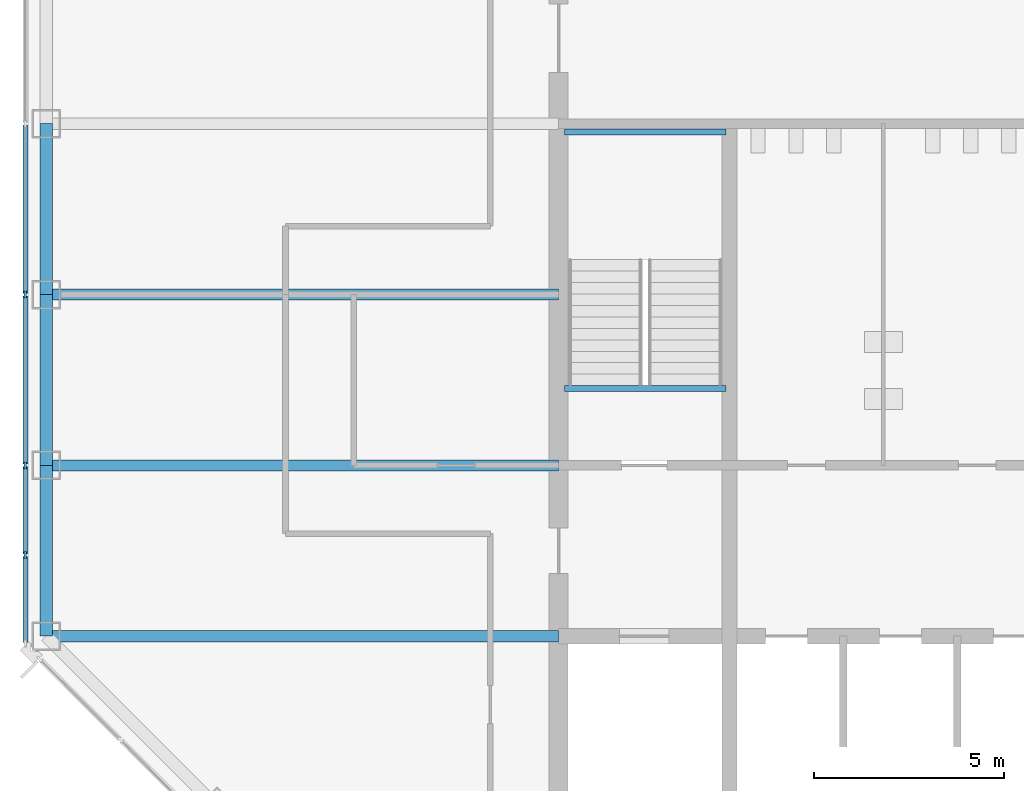
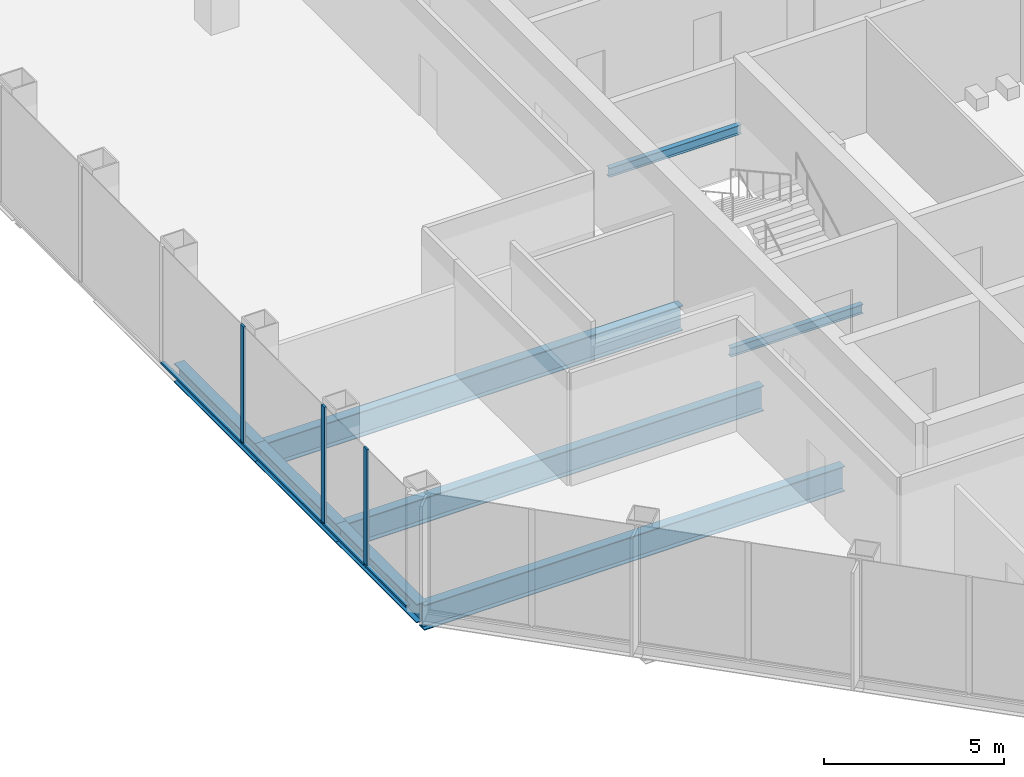
# One storey, part 3 of 12: 8 beams, 7 members, 1 element without a shape of its own.
"""IFC4 building model written with IfcOpenShell, lengths in metres."""

from ifc_helpers import new_model, si_unit, direction, frame, origin, origin_2d, place, context, subcontext, project, spatial, rectangle, i_section, extrude, material, material_profile, profile_set, type_object, element, aggregate, save


model = new_model("IFC4")

# Units and contexts
model_context = context("Model", 3, precision=1e-05, world=origin(), true_north=direction((0.0, 1.0)))
body_context = subcontext(model_context, "Body", "Model", "MODEL_VIEW")
ifc_project = project(units=[si_unit("LENGTHUNIT", "METRE"), si_unit("AREAUNIT", "SQUARE_METRE"), si_unit("VOLUMEUNIT", "CUBIC_METRE"), si_unit("PLANEANGLEUNIT", "RADIAN"), si_unit("MASSUNIT", "GRAM", prefix="KILO")], contexts=[model_context])

# Site, building, storey
site_placement = place(None, origin())
site = spatial("IfcSite", under=ifc_project, at=site_placement, CompositionType="ELEMENT")
building_placement = place(site_placement, origin())
building = spatial("IfcBuilding", under=site, at=building_placement, Name="Corais Broadcast Tower", CompositionType="ELEMENT")
storey_placement = place(building_placement, frame((0.0, 0.0, 143.60009765625)))
storey = spatial("IfcBuildingStorey", under=building, at=storey_placement, Name="L32", CompositionType="ELEMENT", Elevation=143.60009765625)

# Beams
ifc_material_1 = material(Name="Steel ASTM A572 Grade 50", Category="steel")
ifc_material_profile_1 = material_profile(ifc_material_1, i_section(OverallWidth=0.2939453125, OverallDepth=0.85107421875, WebThickness=0.01611328125, FlangeThickness=0.02685546875, at=origin_2d()), Name="W840x226")
ifc_profile_set_1 = profile_set([ifc_material_profile_1], Name="Steel ASTM A572 Grade 50")
beam_type_1 = type_object("IfcBeamType", Name="Floor beam W840x226", PredefinedType="BEAM", material=ifc_profile_set_1)
for number, where, z_axis, x_axis, name in (
    (1, (0.0, 18.0, -0.585693359375), (1.0, 0.0, 0.0), (0.0, 1.0, 0.0), "B1 E/3 to E/6"),
    (2, (0.0, 22.5, -0.585693359375), (1.0, 0.0, 0.0), (0.0, 1.0, 0.0), "B1 F/3 to F/6"),
    (3, (0.0, 27.0, -0.585693359375), (1.0, 0.0, 0.0), (0.0, 1.0, 0.0), "B1 G/3 to G/6"),
):
    element("IfcBeam", number, at=place(storey_placement, frame(where, z_axis=z_axis, x_axis=x_axis)), inside=storey, type_object=beam_type_1, Name=name, PredefinedType="BEAM", context=body_context, shape_type="SweptSolid", body=[
        extrude(i_section(OverallWidth=0.2939453125, OverallDepth=0.85107421875, WebThickness=0.01611328125, FlangeThickness=0.02685546875, at=origin_2d()), origin(), (0.0, 0.0, 1.0), 13.5),
    ])
ifc_material_2 = material(Name="Steel ASTM A572 Grade 50", Category="steel")
ifc_material_profile_2 = material_profile(ifc_material_2, i_section(OverallWidth=0.1650390625, OverallDepth=0.31005859375, WebThickness=0.005859375, FlangeThickness=0.009765625, at=origin_2d()), Name="W310x38.7")
ifc_profile_set_2 = profile_set([ifc_material_profile_2], Name="Steel ASTM A572 Grade 50")
beam_type_2 = type_object("IfcBeamType", Name="Landing trimmer W310x38.7", PredefinedType="BEAM", material=ifc_profile_set_2)
for number, where, z_axis, x_axis, name in (
    (4, (13.64990234375, 24.52490234375, -0.35498046875), (1.0, 0.0, 0.0), (0.0, 1.0, 0.0), "LT1 stair A landing trimmer L32"),
    (5, (13.64990234375, 31.284912109375, 1.64501953125), (1.0, 0.0, 0.0), (0.0, 1.0, 0.0), "LT1 stair A half landing trimmer L32"),
):
    element("IfcBeam", number, at=place(storey_placement, frame(where, z_axis=z_axis, x_axis=x_axis)), inside=storey, type_object=beam_type_2, Name=name, PredefinedType="BEAM", context=body_context, shape_type="SweptSolid", body=[
        extrude(i_section(OverallWidth=0.1650390625, OverallDepth=0.31005859375, WebThickness=0.005859375, FlangeThickness=0.009765625, at=origin_2d()), origin(), (0.0, 0.0, 1.0), 4.25),
    ])

# Curtain wall, members
ifc_material_3 = material(Name="Aluminium and glass", Category="aluminium")
curtain_wall_type = type_object("IfcCurtainWallType", Name="Unitised fritted curtain wall CW2", PredefinedType="NOTDEFINED", material=ifc_material_3)
curtain_wall_placement = place(storey_placement, origin())
curtain_wall = element("IfcCurtainWall", 6, at=curtain_wall_placement, inside=storey, type_object=curtain_wall_type, Name="CW2 curtain wall L32 2", PredefinedType="NOTDEFINED")
ifc_material_4 = material(Name="Aluminium 6063-T6", Category="aluminium")
ifc_material_profile_3 = material_profile(ifc_material_4, rectangle(XDim=0.06494140625, YDim=0.179931640625, at=origin_2d()), Name="Mullion CW2 65x180")
ifc_profile_set_3 = profile_set([ifc_material_profile_3], Name="Aluminium 6063-T6")
member_type_1 = type_object("IfcMemberType", Name="Mullion CW2 65x180", PredefinedType="MULLION", material=ifc_profile_set_3)
member_1_placement = place(storey_placement, frame((-0.550048828125, 20.135986328125, 0.0), z_axis=(0.0, 0.0, 1.0), x_axis=(-1.0, 0.0, 0.0)))
member_1 = element("IfcMember", 7, at=member_1_placement, type_object=member_type_1, Name="CW2 mullion 2", PredefinedType="MULLION", context=body_context, shape_type="SweptSolid", body=[
    extrude(rectangle(XDim=0.06494140625, YDim=0.179931640625, at=origin_2d()), origin(), (0.0, 0.0, 1.0), 4.0),
])
member_2_placement = place(storey_placement, frame((-0.550048828125, 22.5, 0.0), z_axis=(0.0, 0.0, 1.0), x_axis=(-1.0, 0.0, 0.0)))
member_2 = element("IfcMember", 8, at=member_2_placement, type_object=member_type_1, Name="CW2 mullion 3", PredefinedType="MULLION", context=body_context, shape_type="SweptSolid", body=[
    extrude(rectangle(XDim=0.06494140625, YDim=0.179931640625, at=origin_2d()), origin(), (0.0, 0.0, 1.0), 4.0),
])
member_3_placement = place(storey_placement, frame((-0.550048828125, 27.0, 0.0), z_axis=(0.0, 0.0, 1.0), x_axis=(-1.0, 0.0, 0.0)))
member_3 = element("IfcMember", 9, at=member_3_placement, type_object=member_type_1, Name="CW2 mullion 4", PredefinedType="MULLION", context=body_context, shape_type="SweptSolid", body=[
    extrude(rectangle(XDim=0.06494140625, YDim=0.179931640625, at=origin_2d()), origin(), (0.0, 0.0, 1.0), 4.0),
])

# Beams
ifc_material_5 = material(Name="Steel ASTM A572 Grade 50", Category="steel")
ifc_material_profile_4 = material_profile(ifc_material_5, i_section(OverallWidth=0.3291015625, OverallDepth=0.635009765625, WebThickness=0.017822265625, FlangeThickness=0.031005859375, at=origin_2d()), Name="W610x241")
ifc_profile_set_4 = profile_set([ifc_material_profile_4], Name="Steel ASTM A572 Grade 50")
beam_type_3 = type_object("IfcBeamType", Name="Spandrel W610x241", PredefinedType="BEAM", material=ifc_profile_set_4)
for number, where, z_axis, x_axis, name in (
    (10, (0.0, 22.5, -0.4775390625), (0.0, -1.0, 0.0), (1.0, 0.0, 0.0), "SB1 F/3 to E/3"),
    (11, (0.0, 27.0, -0.4775390625), (0.0, -1.0, 0.0), (1.0, 0.0, 0.0), "SB1 G/3 to F/3"),
    (12, (0.0, 31.5, -0.4775390625), (0.0, -1.0, 0.0), (1.0, 0.0, 0.0), "SB1 H/3 to G/3"),
):
    element("IfcBeam", number, at=place(storey_placement, frame(where, z_axis=z_axis, x_axis=x_axis)), inside=storey, type_object=beam_type_3, Name=name, PredefinedType="BEAM", context=body_context, shape_type="SweptSolid", body=[
        extrude(i_section(OverallWidth=0.3291015625, OverallDepth=0.635009765625, WebThickness=0.017822265625, FlangeThickness=0.031005859375, at=origin_2d()), origin(), (0.0, 0.0, 1.0), 4.5),
    ])

# Member
ifc_material_6 = material(Name="Aluminium 6063-T6", Category="aluminium")
ifc_material_profile_5 = material_profile(ifc_material_6, rectangle(XDim=0.1298828125, YDim=0.06494140625, at=origin_2d()), Name="Transom CW2 65x130")
ifc_profile_set_5 = profile_set([ifc_material_profile_5], Name="Aluminium 6063-T6")
member_type_2 = type_object("IfcMemberType", Name="Transom CW2 65x130", PredefinedType="USERDEFINED", material=ifc_profile_set_5)
member_4_placement = place(storey_placement, frame((-0.550048828125, 17.837158203125, 0.032470703125), z_axis=(0.0, 1.0, 0.0), x_axis=(-1.0, 0.0, 0.0)))
member_4 = element("IfcMember", 13, at=member_4_placement, type_object=member_type_2, Name="CW2 transom 1.1", ObjectType="TRANSOM", PredefinedType="USERDEFINED", context=body_context, shape_type="SweptSolid", body=[
    extrude(rectangle(XDim=0.1298828125, YDim=0.06494140625, at=origin_2d()), origin(), (0.0, 0.0, 1.0), 2.266357421875),
])

member_5_placement = place(storey_placement, frame((-0.550048828125, 20.168701171875, 0.032470703125), z_axis=(0.0, 1.0, 0.0), x_axis=(-1.0, 0.0, 0.0)))
member_5 = element("IfcMember", 14, at=member_5_placement, type_object=member_type_2, Name="CW2 transom 2.1", ObjectType="TRANSOM", PredefinedType="USERDEFINED", context=body_context, shape_type="SweptSolid", body=[
    extrude(rectangle(XDim=0.1298828125, YDim=0.06494140625, at=origin_2d()), origin(), (0.0, 0.0, 1.0), 2.298828125),
])

member_6_placement = place(storey_placement, frame((-0.550048828125, 22.532470703125, 0.032470703125), z_axis=(0.0, 1.0, 0.0), x_axis=(-1.0, 0.0, 0.0)))
member_6 = element("IfcMember", 15, at=member_6_placement, type_object=member_type_2, Name="CW2 transom 3.1", ObjectType="TRANSOM", PredefinedType="USERDEFINED", context=body_context, shape_type="SweptSolid", body=[
    extrude(rectangle(XDim=0.1298828125, YDim=0.06494140625, at=origin_2d()), origin(), (0.0, 0.0, 1.0), 4.43505859375),
])

member_7_placement = place(storey_placement, frame((-0.550048828125, 27.032470703125, 0.032470703125), z_axis=(0.0, 1.0, 0.0), x_axis=(-1.0, 0.0, 0.0)))
member_7 = element("IfcMember", 16, at=member_7_placement, type_object=member_type_2, Name="CW2 transom 4.1", ObjectType="TRANSOM", PredefinedType="USERDEFINED", context=body_context, shape_type="SweptSolid", body=[
    extrude(rectangle(XDim=0.1298828125, YDim=0.06494140625, at=origin_2d()), origin(), (0.0, 0.0, 1.0), 4.43505859375),
])

aggregate(curtain_wall, [member_1, member_2, member_3, member_4, member_5, member_6, member_7])

save(model, "model.ifc")
